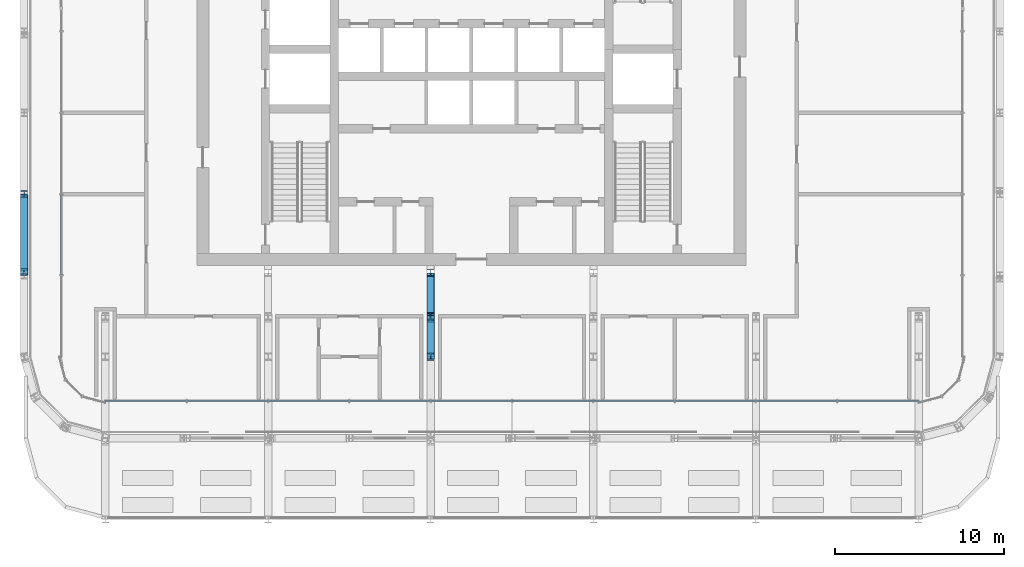
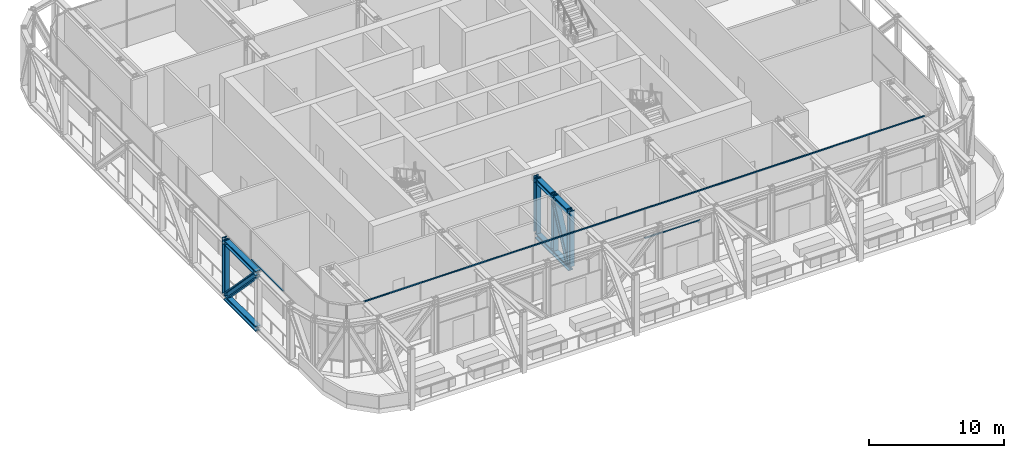
# One storey, part 3 of 22: 15 members, 2 elements without a shape of their own.
"""IFC4 building model written with IfcOpenShell, lengths in metres."""

from ifc_helpers import new_model, si_unit, direction, frame, origin, origin_2d, place, context, subcontext, project, spatial, rectangle, i_section, extrude, material, layer, layer_set, material_profile, profile_set, type_object, element, aggregate, save


model = new_model("IFC4")

# Units and contexts
model_context = context("Model", 3, precision=1e-05, world=origin(), true_north=direction((0.0, 1.0)))
body_context = subcontext(model_context, "Body", "Model", "MODEL_VIEW")
ifc_project = project(units=[si_unit("LENGTHUNIT", "METRE"), si_unit("AREAUNIT", "SQUARE_METRE"), si_unit("VOLUMEUNIT", "CUBIC_METRE"), si_unit("PLANEANGLEUNIT", "RADIAN"), si_unit("MASSUNIT", "GRAM", prefix="KILO")], contexts=[model_context])

# Site, building, storey
site_placement = place(None, origin())
site = spatial("IfcSite", under=ifc_project, at=site_placement, CompositionType="ELEMENT")
building_placement = place(site_placement, origin())
building = spatial("IfcBuilding", under=site, at=building_placement, Name="Madar Terraces", CompositionType="ELEMENT")
storey_placement = place(building_placement, frame((0.0, 0.0, 203.39990234375)))
storey = spatial("IfcBuildingStorey", under=building, at=storey_placement, Name="L53", CompositionType="ELEMENT", Elevation=203.39990234375)

# Members
ifc_material_1 = material(Name="Steel ASTM A992 Grade 50", Category="steel")
ifc_material_profile_1 = material_profile(ifc_material_1, i_section(OverallWidth=0.421630859375, OverallDepth=0.46484375, WebThickness=0.044921875, FlangeThickness=0.072509765625, at=origin_2d()), Name="W14x398")
ifc_profile_set_1 = profile_set([ifc_material_profile_1], Name="Steel ASTM A992 Grade 50")
member_type_1 = type_object("IfcMemberType", Name="BC7 W14x398", PredefinedType="CHORD", material=ifc_profile_set_1)
member_1_placement = place(storey_placement, frame((4.800048828125, 19.199951171875, -0.1875), z_axis=(0.0, -1.0, 0.0), x_axis=(1.0, 0.0, 0.0)))
element("IfcMember", 1, at=member_1_placement, inside=storey, type_object=member_type_1, Name="Exoskeleton truss ring bottom chord BC7", PredefinedType="CHORD", context=body_context, shape_type="SweptSolid", body=[
    extrude(i_section(OverallWidth=0.421630859375, OverallDepth=0.46484375, WebThickness=0.044921875, FlangeThickness=0.072509765625, at=origin_2d()), origin(), (0.0, 0.0, 1.0), 4.800048828125),
])
member_2_placement = place(storey_placement, frame((28.800048828125, 9.60009765625, -0.1875), z_axis=(0.0, 1.0, 0.0), x_axis=(-1.0, 0.0, 0.0)))
element("IfcMember", 2, at=member_2_placement, inside=storey, type_object=member_type_1, Name="Exoskeleton truss cross S28.8 bottom chord BC7", PredefinedType="CHORD", context=body_context, shape_type="SweptSolid", body=[
    extrude(i_section(OverallWidth=0.421630859375, OverallDepth=0.46484375, WebThickness=0.044921875, FlangeThickness=0.072509765625, at=origin_2d()), origin(), (0.0, 0.0, 1.0), 2.39990234375),
])
member_3_placement = place(storey_placement, frame((28.800048828125, 12.0, -0.1875), z_axis=(0.0, 1.0, 0.0), x_axis=(-1.0, 0.0, 0.0)))
element("IfcMember", 3, at=member_3_placement, inside=storey, type_object=member_type_1, Name="Exoskeleton truss cross S28.8 bottom chord BC7", PredefinedType="CHORD", context=body_context, shape_type="SweptSolid", body=[
    extrude(i_section(OverallWidth=0.421630859375, OverallDepth=0.46484375, WebThickness=0.044921875, FlangeThickness=0.072509765625, at=origin_2d()), origin(), (0.0, 0.0, 1.0), 2.550048828125),
])

# Curtain wall, members
ifc_material_2 = material(Name="Glass, ceramic frit dark grey, with black aluminium frame", Category="aluminium")
ifc_layer = layer(ifc_material_2, 0.199951171875)
ifc_layer_set = layer_set([ifc_layer], Name="Facade curtain wall, tall glazing")
curtain_wall_type = type_object("IfcCurtainWallType", Name="Facade curtain wall, tall glazing", PredefinedType="NOTDEFINED", material=ifc_layer_set)
curtain_wall_1_placement = place(storey_placement, origin())
curtain_wall_1 = element("IfcCurtainWall", 4, at=curtain_wall_1_placement, inside=storey, type_object=curtain_wall_type, Name="Outer skin curtain wall south bay 1", PredefinedType="NOTDEFINED")
ifc_material_3 = material(Name="Aluminium, black anodised", Category="aluminium")
ifc_material_profile_2 = material_profile(ifc_material_3, rectangle(XDim=0.1201171875, YDim=0.06005859375, at=origin_2d()), Name="Facade transom 60x120")
ifc_profile_set_2 = profile_set([ifc_material_profile_2], Name="Aluminium, black anodised")
member_type_2 = type_object("IfcMemberType", Name="Facade transom 60x120", PredefinedType="USERDEFINED", material=ifc_profile_set_2)
member_4_placement = place(storey_placement, frame((9.60009765625, 7.0, 5.070068359375), z_axis=(1.0, 0.0, 0.0), x_axis=(0.0, 1.0, 0.0)))
member_4 = element("IfcMember", 5, at=member_4_placement, type_object=member_type_2, Name="Transom 1", ObjectType="TRANSOM", PredefinedType="USERDEFINED", context=body_context, shape_type="SweptSolid", body=[
    extrude(rectangle(XDim=0.1201171875, YDim=0.06005859375, at=origin_2d()), origin(), (0.0, 0.0, 1.0), 48.0),
])
member_5_placement = place(storey_placement, frame((33.6298828125, 7.0, 2.400146484375), z_axis=(1.0, 0.0, 0.0), x_axis=(0.0, 1.0, 0.0)))
member_5 = element("IfcMember", 6, at=member_5_placement, type_object=member_type_2, Name="Transom 7", ObjectType="TRANSOM", PredefinedType="USERDEFINED", context=body_context, shape_type="SweptSolid", body=[
    extrude(rectangle(XDim=0.1201171875, YDim=0.06005859375, at=origin_2d()), origin(), (0.0, 0.0, 1.0), 4.740234375),
])
aggregate(curtain_wall_1, [member_4, member_5])

# Curtain wall, member
curtain_wall_2_placement = place(storey_placement, origin())
curtain_wall_2 = element("IfcCurtainWall", 7, at=curtain_wall_2_placement, inside=storey, type_object=curtain_wall_type, Name="Outer skin curtain wall west bay 1", PredefinedType="NOTDEFINED")
member_6_placement = place(storey_placement, frame((7.0, 19.169921875, 2.400146484375), z_axis=(0.0, -1.0, 0.0), x_axis=(1.0, 0.0, 0.0)))
member_6 = element("IfcMember", 8, at=member_6_placement, type_object=member_type_2, Name="Transom 10", ObjectType="TRANSOM", PredefinedType="USERDEFINED", context=body_context, shape_type="SweptSolid", body=[
    extrude(rectangle(XDim=0.1201171875, YDim=0.06005859375, at=origin_2d()), origin(), (0.0, 0.0, 1.0), 4.739990234375),
])
aggregate(curtain_wall_2, [member_6])

# Members
ifc_material_4 = material(Name="Steel ASTM A992 Grade 50", Category="steel")
ifc_material_profile_3 = material_profile(ifc_material_4, i_section(OverallWidth=0.41650390625, OverallDepth=0.444580078125, WebThickness=0.0390625, FlangeThickness=0.062744140625, at=origin_2d()), Name="W14x342")
ifc_profile_set_3 = profile_set([ifc_material_profile_3], Name="Steel ASTM A992 Grade 50")
member_type_3 = type_object("IfcMemberType", Name="TC7 W14x342", PredefinedType="CHORD", material=ifc_profile_set_3)
member_7_placement = place(storey_placement, frame((4.800048828125, 19.199951171875, 4.807861328125), z_axis=(0.0, -1.0, 0.0), x_axis=(1.0, 0.0, 0.0)))
element("IfcMember", 9, at=member_7_placement, inside=storey, type_object=member_type_3, Name="Exoskeleton truss ring top chord TC7", PredefinedType="CHORD", context=body_context, shape_type="SweptSolid", body=[
    extrude(i_section(OverallWidth=0.41650390625, OverallDepth=0.444580078125, WebThickness=0.0390625, FlangeThickness=0.062744140625, at=origin_2d()), origin(), (0.0, 0.0, 1.0), 4.800048828125),
])
member_8_placement = place(storey_placement, frame((28.800048828125, 9.60009765625, 4.807861328125), z_axis=(0.0, 1.0, 0.0), x_axis=(-1.0, 0.0, 0.0)))
element("IfcMember", 10, at=member_8_placement, inside=storey, type_object=member_type_3, Name="Exoskeleton truss cross S28.8 top chord TC7", PredefinedType="CHORD", context=body_context, shape_type="SweptSolid", body=[
    extrude(i_section(OverallWidth=0.41650390625, OverallDepth=0.444580078125, WebThickness=0.0390625, FlangeThickness=0.062744140625, at=origin_2d()), origin(), (0.0, 0.0, 1.0), 2.39990234375),
])
member_9_placement = place(storey_placement, frame((28.800048828125, 12.0, 4.807861328125), z_axis=(0.0, 1.0, 0.0), x_axis=(-1.0, 0.0, 0.0)))
element("IfcMember", 11, at=member_9_placement, inside=storey, type_object=member_type_3, Name="Exoskeleton truss cross S28.8 top chord TC7", PredefinedType="CHORD", context=body_context, shape_type="SweptSolid", body=[
    extrude(i_section(OverallWidth=0.41650390625, OverallDepth=0.444580078125, WebThickness=0.0390625, FlangeThickness=0.062744140625, at=origin_2d()), origin(), (0.0, 0.0, 1.0), 2.550048828125),
])
ifc_material_5 = material(Name="Steel ASTM A992 Grade 50", Category="steel")
ifc_material_profile_4 = material_profile(ifc_material_5, i_section(OverallWidth=0.436767578125, OverallDepth=0.51318359375, WebThickness=0.060546875, FlangeThickness=0.096923828125, at=origin_2d()), Name="W14x550")
ifc_profile_set_4 = profile_set([ifc_material_profile_4], Name="Steel ASTM A992 Grade 50")
member_type_4 = type_object("IfcMemberType", Name="TD7 W14x550", PredefinedType="BRACE", material=ifc_profile_set_4)
member_10_placement = place(storey_placement, frame((4.800048828125, 18.9765625, 0.044921875), z_axis=(0.0, -0.692853764203, 0.721078124359), x_axis=(1.0, 0.0, 0.0)))
element("IfcMember", 12, at=member_10_placement, inside=storey, type_object=member_type_4, Name="Exoskeleton truss ring diagonal TD7", PredefinedType="BRACE", context=body_context, shape_type="SweptSolid", body=[
    extrude(i_section(OverallWidth=0.436767578125, OverallDepth=0.51318359375, WebThickness=0.060546875, FlangeThickness=0.096923828125, at=origin_2d()), origin(), (0.0, 0.0, 1.0), 6.297119140625),
])
member_11_placement = place(storey_placement, frame((28.800048828125, 9.711669921875, 0.044921875), z_axis=(0.0, 0.433065047911, 0.901362670781), x_axis=(-1.0, 0.0, 0.0)))
element("IfcMember", 13, at=member_11_placement, inside=storey, type_object=member_type_4, Name="Exoskeleton truss cross S28.8 diagonal TD7", PredefinedType="BRACE", context=body_context, shape_type="SweptSolid", body=[
    extrude(i_section(OverallWidth=0.436767578125, OverallDepth=0.51318359375, WebThickness=0.060546875, FlangeThickness=0.096923828125, at=origin_2d()), origin(), (0.0, 0.0, 1.0), 5.03759765625),
])
ifc_material_6 = material(Name="Steel ASTM A992 Grade 50", Category="steel")
ifc_material_profile_5 = material_profile(ifc_material_6, i_section(OverallWidth=0.408935546875, OverallDepth=0.424072265625, WebThickness=0.03271484375, FlangeThickness=0.052490234375, at=origin_2d()), Name="W14x283")
ifc_profile_set_5 = profile_set([ifc_material_profile_5], Name="Steel ASTM A992 Grade 50")
member_type_5 = type_object("IfcMemberType", Name="TV7 W14x283", PredefinedType="POST", material=ifc_profile_set_5)
for number, where, z_axis, x_axis, name in (
    (14, (4.800048828125, 19.199951171875, 0.044921875), (0.0, 0.0, 1.0), (1.0, 0.0, 0.0), "Exoskeleton truss ring post TV7"),
    (15, (28.800048828125, 9.60009765625, 0.044921875), (0.0, 0.0, 1.0), (-1.0, 0.0, 0.0), "Exoskeleton truss cross S28.8 post TV7"),
    (16, (28.800048828125, 12.0, 0.044921875), (0.0, 0.0, 1.0), (-1.0, 0.0, 0.0), "Exoskeleton truss cross S28.8 post TV7"),
    (17, (28.800048828125, 14.550048828125, 0.044921875), (0.0, 0.0, 1.0), (-1.0, 0.0, 0.0), "Exoskeleton truss cross S28.8 post TV7"),
):
    element("IfcMember", number, at=place(storey_placement, frame(where, z_axis=z_axis, x_axis=x_axis)), inside=storey, type_object=member_type_5, Name=name, PredefinedType="POST", context=body_context, shape_type="SweptSolid", body=[
        extrude(i_section(OverallWidth=0.408935546875, OverallDepth=0.424072265625, WebThickness=0.03271484375, FlangeThickness=0.052490234375, at=origin_2d()), origin(), (0.0, 0.0, 1.0), 5.05517578125),
    ])

save(model, "model.ifc")
